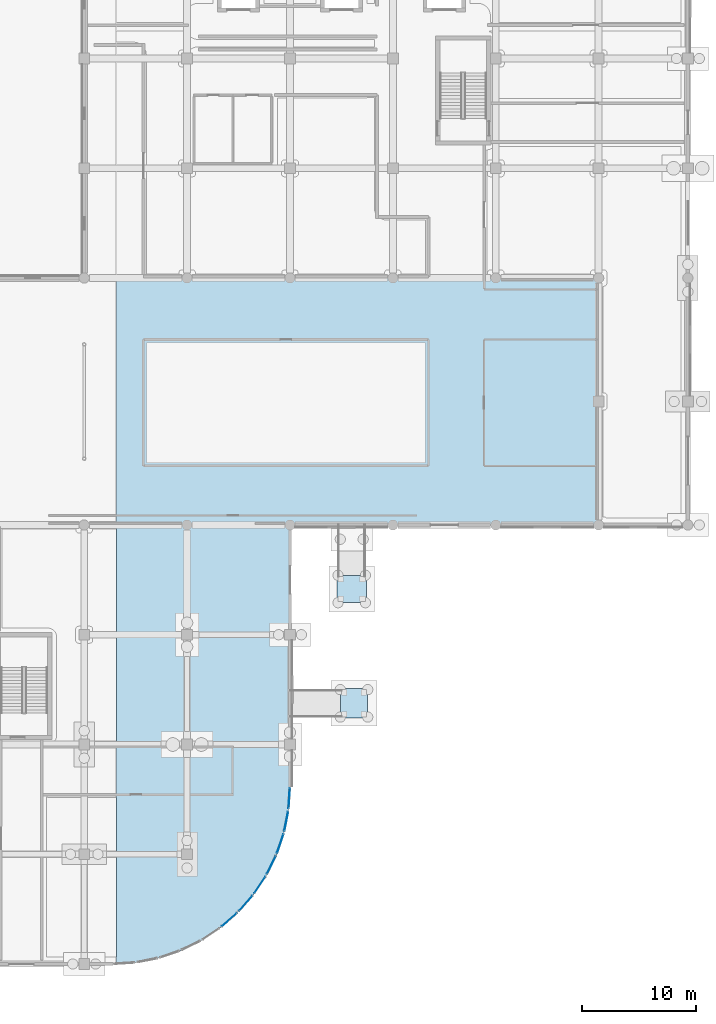
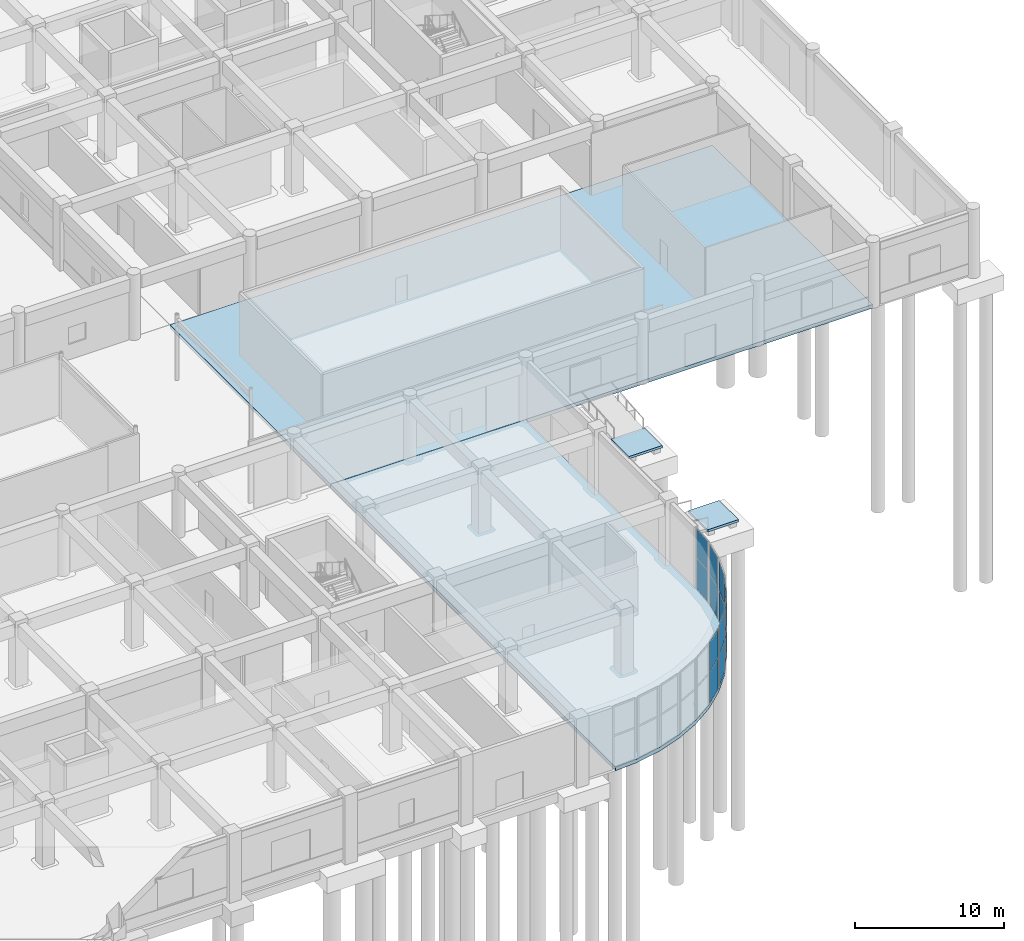
# One storey, part 23 of 74: 14 plates, 4 slabs, 9 elements without a shape of their own.
"""IFC4 building model written with IfcOpenShell, lengths in metres."""

from ifc_helpers import new_model, si_unit, direction, frame, origin, origin_2d, place, context, subcontext, project, spatial, polyline, rectangle, outline, extrude, material, layer, layer_set, type_object, element, aggregate, save


model = new_model("IFC4")

# Units and contexts
model_context = context("Model", 3, precision=1e-05, world=origin(), true_north=direction((0.0, 1.0)))
body_context = subcontext(model_context, "Body", "Model", "MODEL_VIEW")
ifc_project = project(units=[si_unit("LENGTHUNIT", "METRE"), si_unit("AREAUNIT", "SQUARE_METRE"), si_unit("VOLUMEUNIT", "CUBIC_METRE"), si_unit("PLANEANGLEUNIT", "RADIAN"), si_unit("MASSUNIT", "GRAM", prefix="KILO")], contexts=[model_context])

# Site, building, storey
site_placement = place(None, origin())
site = spatial("IfcSite", under=ifc_project, at=site_placement, CompositionType="ELEMENT")
building_placement = place(site_placement, origin())
building = spatial("IfcBuilding", under=site, at=building_placement, Name="Cendralis Terraced Arcade", CompositionType="ELEMENT")
storey_placement = place(building_placement, origin())
storey = spatial("IfcBuildingStorey", under=building, at=storey_placement, Name="L00", CompositionType="ELEMENT", Elevation=0.0)

# Curtain wall, plates
ifc_material_1 = material(Name="Anodised aluminium EN AW-6063 T6", Category="aluminium")
ifc_layer_1 = layer(ifc_material_1, 0.139892578125, Name="CW-STORE-A")
ifc_layer_set_1 = layer_set([ifc_layer_1], Name="Anodised aluminium EN AW-6063 T6")
curtain_wall_type = type_object("IfcCurtainWallType", Name="CW-STORE-A", PredefinedType="USERDEFINED", material=ifc_layer_set_1)
curtain_wall_1_placement = place(storey_placement, origin())
curtain_wall_1 = element("IfcCurtainWall", 1, at=curtain_wall_1_placement, inside=storey, type_object=curtain_wall_type, Name="Exterior Storefront Glazing CW-L00-0001", ObjectType="STOREFRONT GLAZING", PredefinedType="USERDEFINED")
ifc_material_2 = material(Name="Tempered solar control laminated glass", Category="glass")
ifc_layer_2 = layer(ifc_material_2, 0.028076171875, Name="CW-STORE-A-PNL")
ifc_layer_set_2 = layer_set([ifc_layer_2], Name="Tempered solar control laminated glass")
plate_type = type_object("IfcPlateType", Name="CW-STORE-A-PNL", PredefinedType="CURTAIN_PANEL", material=ifc_layer_set_2)
plate_1_placement = place(storey_placement, frame((139.1337890625, 14.48828125, 0.06005859375), z_axis=(0.0, 0.0, 1.0), x_axis=(-0.065383766124, -0.997860192175, 0.0)))
plate_1 = element("IfcPlate", 2, at=plate_1_placement, type_object=plate_type, Name="CW-S1 panel 1.1", PredefinedType="CURTAIN_PANEL", context=body_context, shape_type="SweptSolid", body=[
    extrude(rectangle(XDim=1.7275390625, YDim=0.028076171875, at=origin_2d()), origin(), (0.0, 0.0, 1.0), 2.556884765625),
])
plate_2_placement = place(storey_placement, frame((139.1337890625, 14.48828125, 2.6767578125), z_axis=(0.0, 0.0, 1.0), x_axis=(-0.065383766124, -0.997860192175, 0.0)))
plate_2 = element("IfcPlate", 3, at=plate_2_placement, type_object=plate_type, Name="CW-S1 panel 1.2", PredefinedType="CURTAIN_PANEL", context=body_context, shape_type="SweptSolid", body=[
    extrude(rectangle(XDim=1.7275390625, YDim=0.028076171875, at=origin_2d()), origin(), (0.0, 0.0, 1.0), 2.353271484375),
])
aggregate(curtain_wall_1, [plate_1, plate_2])

curtain_wall_2_placement = place(storey_placement, origin())
curtain_wall_2 = element("IfcCurtainWall", 4, at=curtain_wall_2_placement, inside=storey, type_object=curtain_wall_type, Name="Exterior Storefront Glazing CW-L00-0002", ObjectType="STOREFRONT GLAZING", PredefinedType="USERDEFINED")
plate_3_placement = place(storey_placement, frame((138.86962890625, 12.482666015625, 0.06005859375), z_axis=(0.0, 0.0, 1.0), x_axis=(-0.195033398913, -0.980796601395, 0.0)))
plate_3 = element("IfcPlate", 5, at=plate_3_placement, type_object=plate_type, Name="CW-S1 panel 1.1", PredefinedType="CURTAIN_PANEL", context=body_context, shape_type="SweptSolid", body=[
    extrude(rectangle(XDim=1.727294921875, YDim=0.028076171875, at=origin_2d()), origin(), (0.0, 0.0, 1.0), 2.556884765625),
])
plate_4_placement = place(storey_placement, frame((138.86962890625, 12.482666015625, 2.6767578125), z_axis=(0.0, 0.0, 1.0), x_axis=(-0.195033398913, -0.980796601395, 0.0)))
plate_4 = element("IfcPlate", 6, at=plate_4_placement, type_object=plate_type, Name="CW-S1 panel 1.2", PredefinedType="CURTAIN_PANEL", context=body_context, shape_type="SweptSolid", body=[
    extrude(rectangle(XDim=1.727294921875, YDim=0.028076171875, at=origin_2d()), origin(), (0.0, 0.0, 1.0), 2.353271484375),
])
aggregate(curtain_wall_2, [plate_3, plate_4])

curtain_wall_3_placement = place(storey_placement, origin())
curtain_wall_3 = element("IfcCurtainWall", 7, at=curtain_wall_3_placement, inside=storey, type_object=curtain_wall_type, Name="Exterior Storefront Glazing CW-L00-0003", ObjectType="STOREFRONT GLAZING", PredefinedType="USERDEFINED")
plate_5_placement = place(storey_placement, frame((138.345947265625, 10.5283203125, 0.06005859375), z_axis=(0.0, 0.0, 1.0), x_axis=(-0.32150002033, -0.946909571674, 0.0)))
plate_5 = element("IfcPlate", 8, at=plate_5_placement, type_object=plate_type, Name="CW-S1 panel 1.1", PredefinedType="CURTAIN_PANEL", context=body_context, shape_type="SweptSolid", body=[
    extrude(rectangle(XDim=1.7275390625, YDim=0.028076171875, at=origin_2d()), origin(), (0.0, 0.0, 1.0), 2.556884765625),
])
plate_6_placement = place(storey_placement, frame((138.345947265625, 10.5283203125, 2.6767578125), z_axis=(0.0, 0.0, 1.0), x_axis=(-0.32150002033, -0.946909571674, 0.0)))
plate_6 = element("IfcPlate", 9, at=plate_6_placement, type_object=plate_type, Name="CW-S1 panel 1.2", PredefinedType="CURTAIN_PANEL", context=body_context, shape_type="SweptSolid", body=[
    extrude(rectangle(XDim=1.7275390625, YDim=0.028076171875, at=origin_2d()), origin(), (0.0, 0.0, 1.0), 2.353271484375),
])
aggregate(curtain_wall_3, [plate_5, plate_6])

curtain_wall_4_placement = place(storey_placement, origin())
curtain_wall_4 = element("IfcCurtainWall", 10, at=curtain_wall_4_placement, inside=storey, type_object=curtain_wall_type, Name="Exterior Storefront Glazing CW-L00-0004", ObjectType="STOREFRONT GLAZING", PredefinedType="USERDEFINED")
plate_7_placement = place(storey_placement, frame((137.57177734375, 8.6591796875, 0.06005859375), z_axis=(0.0, 0.0, 1.0), x_axis=(-0.442270416572, -0.896881752867, 0.0)))
plate_7 = element("IfcPlate", 11, at=plate_7_placement, type_object=plate_type, Name="CW-S1 panel 1.1", PredefinedType="CURTAIN_PANEL", context=body_context, shape_type="SweptSolid", body=[
    extrude(rectangle(XDim=1.7275390625, YDim=0.028076171875, at=origin_2d()), origin(), (0.0, 0.0, 1.0), 2.556884765625),
])
plate_8_placement = place(storey_placement, frame((137.57177734375, 8.6591796875, 2.6767578125), z_axis=(0.0, 0.0, 1.0), x_axis=(-0.442270416572, -0.896881752867, 0.0)))
plate_8 = element("IfcPlate", 12, at=plate_8_placement, type_object=plate_type, Name="CW-S1 panel 1.2", PredefinedType="CURTAIN_PANEL", context=body_context, shape_type="SweptSolid", body=[
    extrude(rectangle(XDim=1.7275390625, YDim=0.028076171875, at=origin_2d()), origin(), (0.0, 0.0, 1.0), 2.353271484375),
])
aggregate(curtain_wall_4, [plate_7, plate_8])

curtain_wall_5_placement = place(storey_placement, origin())
curtain_wall_5 = element("IfcCurtainWall", 13, at=curtain_wall_5_placement, inside=storey, type_object=curtain_wall_type, Name="Exterior Storefront Glazing CW-L00-0005", ObjectType="STOREFRONT GLAZING", PredefinedType="USERDEFINED")
plate_9_placement = place(storey_placement, frame((136.560302734375, 6.906982421875, 0.06005859375), z_axis=(0.0, 0.0, 1.0), x_axis=(-0.555549269065, -0.831483619587, 0.0)))
plate_9 = element("IfcPlate", 14, at=plate_9_placement, type_object=plate_type, Name="CW-S1 panel 1.1", PredefinedType="CURTAIN_PANEL", context=body_context, shape_type="SweptSolid", body=[
    extrude(rectangle(XDim=1.7275390625, YDim=0.028076171875, at=origin_2d()), origin(), (0.0, 0.0, 1.0), 2.556884765625),
])
plate_10_placement = place(storey_placement, frame((136.560302734375, 6.906982421875, 2.6767578125), z_axis=(0.0, 0.0, 1.0), x_axis=(-0.555549269065, -0.831483619587, 0.0)))
plate_10 = element("IfcPlate", 15, at=plate_10_placement, type_object=plate_type, Name="CW-S1 panel 1.2", PredefinedType="CURTAIN_PANEL", context=body_context, shape_type="SweptSolid", body=[
    extrude(rectangle(XDim=1.7275390625, YDim=0.028076171875, at=origin_2d()), origin(), (0.0, 0.0, 1.0), 2.353271484375),
])
aggregate(curtain_wall_5, [plate_9, plate_10])

curtain_wall_6_placement = place(storey_placement, origin())
curtain_wall_6 = element("IfcCurtainWall", 16, at=curtain_wall_6_placement, inside=storey, type_object=curtain_wall_type, Name="Exterior Storefront Glazing CW-L00-0006", ObjectType="STOREFRONT GLAZING", PredefinedType="USERDEFINED")
plate_11_placement = place(storey_placement, frame((135.32861328125, 5.302001953125, 0.06005859375), z_axis=(0.0, 0.0, 1.0), x_axis=(-0.659370197402, -0.751818424075, 0.0)))
plate_11 = element("IfcPlate", 17, at=plate_11_placement, type_object=plate_type, Name="CW-S1 panel 1.1", PredefinedType="CURTAIN_PANEL", context=body_context, shape_type="SweptSolid", body=[
    extrude(rectangle(XDim=1.7275390625, YDim=0.028076171875, at=origin_2d()), origin(), (0.0, 0.0, 1.0), 2.556884765625),
])
plate_12_placement = place(storey_placement, frame((135.32861328125, 5.302001953125, 2.6767578125), z_axis=(0.0, 0.0, 1.0), x_axis=(-0.659370197402, -0.751818424075, 0.0)))
plate_12 = element("IfcPlate", 18, at=plate_12_placement, type_object=plate_type, Name="CW-S1 panel 1.2", PredefinedType="CURTAIN_PANEL", context=body_context, shape_type="SweptSolid", body=[
    extrude(rectangle(XDim=1.7275390625, YDim=0.028076171875, at=origin_2d()), origin(), (0.0, 0.0, 1.0), 2.353271484375),
])
aggregate(curtain_wall_6, [plate_11, plate_12])

curtain_wall_7_placement = place(storey_placement, origin())
curtain_wall_7 = element("IfcCurtainWall", 19, at=curtain_wall_7_placement, inside=storey, type_object=curtain_wall_type, Name="Exterior Storefront Glazing CW-L00-0007", ObjectType="STOREFRONT GLAZING", PredefinedType="USERDEFINED")
plate_13_placement = place(storey_placement, frame((133.89794921875, 3.871337890625, 0.06005859375), z_axis=(0.0, 0.0, 1.0), x_axis=(-0.751818424075, -0.659370197402, 0.0)))
plate_13 = element("IfcPlate", 20, at=plate_13_placement, type_object=plate_type, Name="CW-S1 panel 1.1", PredefinedType="CURTAIN_PANEL", context=body_context, shape_type="SweptSolid", body=[
    extrude(rectangle(XDim=1.7275390625, YDim=0.028076171875, at=origin_2d()), origin(), (0.0, 0.0, 1.0), 2.556884765625),
])
plate_14_placement = place(storey_placement, frame((133.89794921875, 3.871337890625, 2.6767578125), z_axis=(0.0, 0.0, 1.0), x_axis=(-0.751818424075, -0.659370197402, 0.0)))
plate_14 = element("IfcPlate", 21, at=plate_14_placement, type_object=plate_type, Name="CW-S1 panel 1.2", PredefinedType="CURTAIN_PANEL", context=body_context, shape_type="SweptSolid", body=[
    extrude(rectangle(XDim=1.7275390625, YDim=0.028076171875, at=origin_2d()), origin(), (0.0, 0.0, 1.0), 2.353271484375),
])
aggregate(curtain_wall_7, [plate_13, plate_14])

# Slabs
ifc_material_3 = material(Name="Concrete f'c 35 MPa", Category="concrete")
ifc_layer_3 = layer(ifc_material_3, 0.300048828125, Name="SLB-L00-300")
ifc_layer_set_3 = layer_set([ifc_layer_3], Name="Concrete f'c 35 MPa")
slab_type_1 = type_object("IfcSlabType", Name="SLB-L00-300", PredefinedType="FLOOR", material=ifc_layer_set_3)
slab_1_placement = place(storey_placement, frame((0.0, 0.0, -0.300048828125)))
element("IfcSlab", 22, at=slab_1_placement, inside=storey, type_object=slab_type_1, Name="Reinforced Concrete Floor Slab SLB-L00-V2-E1-1", PredefinedType="FLOOR", context=body_context, shape_type="SweptSolid", body=[
    extrude(outline(polyline([(124.02001953125, 38.39990234375), (124.02001953125, 60.0), (166.199951171875, 60.0), (166.199951171875, 38.39990234375), (124.02001953125, 38.39990234375)])), origin(), (0.0, 0.0, 1.0), 0.300048828125),
])
slab_2_placement = place(storey_placement, frame((0.0, 0.0, -0.300048828125)))
element("IfcSlab", 23, at=slab_2_placement, inside=storey, type_object=slab_type_1, Name="Reinforced Concrete Floor Slab SLB-L00-V4-E1-1", PredefinedType="FLOOR", context=body_context, shape_type="SweptSolid", body=[
    extrude(outline(polyline([(139.0673828125, 13.476806640625), (138.671875, 11.48828125), (138.02001953125, 9.568359375), (137.123291015625, 7.75), (135.9970703125, 6.064208984375), (134.66015625, 4.539794921875), (133.1357421875, 3.202880859375), (131.449951171875, 2.07666015625), (129.631591796875, 1.179931640625), (127.711669921875, 0.528076171875), (125.72314453125, 0.132568359375), (124.02001953125, 0.02099609375), (124.02001953125, 38.3798828125), (139.199951171875, 38.3798828125), (139.199951171875, 15.5), (139.0673828125, 13.476806640625)])), origin(), (0.0, 0.0, 1.0), 0.300048828125),
])

# Ramp, slab
ramp_type = type_object("IfcRampType", Name="RMP-PED-2400", PredefinedType="STRAIGHT_RUN_RAMP", material=ifc_material_3)
ramp_1_placement = place(storey_placement, origin())
ramp_1 = element("IfcRamp", 24, at=ramp_1_placement, inside=storey, type_object=ramp_type, Name="Accessible Pedestrian Plaza Ramp RMP-02", PredefinedType="STRAIGHT_RUN_RAMP")
ifc_layer_4 = layer(ifc_material_3, 0.195068359375, Name="SLB-RAMP-LND-195")
ifc_layer_set_4 = layer_set([ifc_layer_4], Name="Concrete f'c 35 MPa")
slab_type_2 = type_object("IfcSlabType", Name="SLB-RAMP-LND-195", PredefinedType="LANDING", material=ifc_layer_set_4)
slab_3_placement = place(storey_placement, frame((0.0, 0.0, -0.554931640625)))
slab_3 = element("IfcSlab", 25, at=slab_3_placement, type_object=slab_type_2, Name="Accessible Pedestrian Plaza Ramp RMP-02 landing 1", PredefinedType="LANDING", context=body_context, shape_type="SweptSolid", body=[
    extrude(outline(polyline([(143.60009765625, 21.5), (146.0, 21.5), (146.0, 24.10009765625), (143.60009765625, 24.10009765625), (143.60009765625, 21.5)])), origin(), (0.0, 0.0, 1.0), 0.19482421875),
])
aggregate(ramp_1, [slab_3])

ramp_2_placement = place(storey_placement, origin())
ramp_2 = element("IfcRamp", 26, at=ramp_2_placement, inside=storey, type_object=ramp_type, Name="Accessible Pedestrian South Arcade Ramp RMP-03", PredefinedType="STRAIGHT_RUN_RAMP")
slab_4_placement = place(storey_placement, frame((0.0, 0.0, -0.554931640625)))
slab_4 = element("IfcSlab", 27, at=slab_4_placement, type_object=slab_type_2, Name="Accessible Pedestrian South Arcade Ramp RMP-03 landing 1", PredefinedType="LANDING", context=body_context, shape_type="SweptSolid", body=[
    extrude(outline(polyline([(143.300048828125, 31.60009765625), (145.89990234375, 31.60009765625), (145.89990234375, 34.0), (143.300048828125, 34.0), (143.300048828125, 31.60009765625)])), origin(), (0.0, 0.0, 1.0), 0.19482421875),
])
aggregate(ramp_2, [slab_4])

save(model, "model.ifc")
